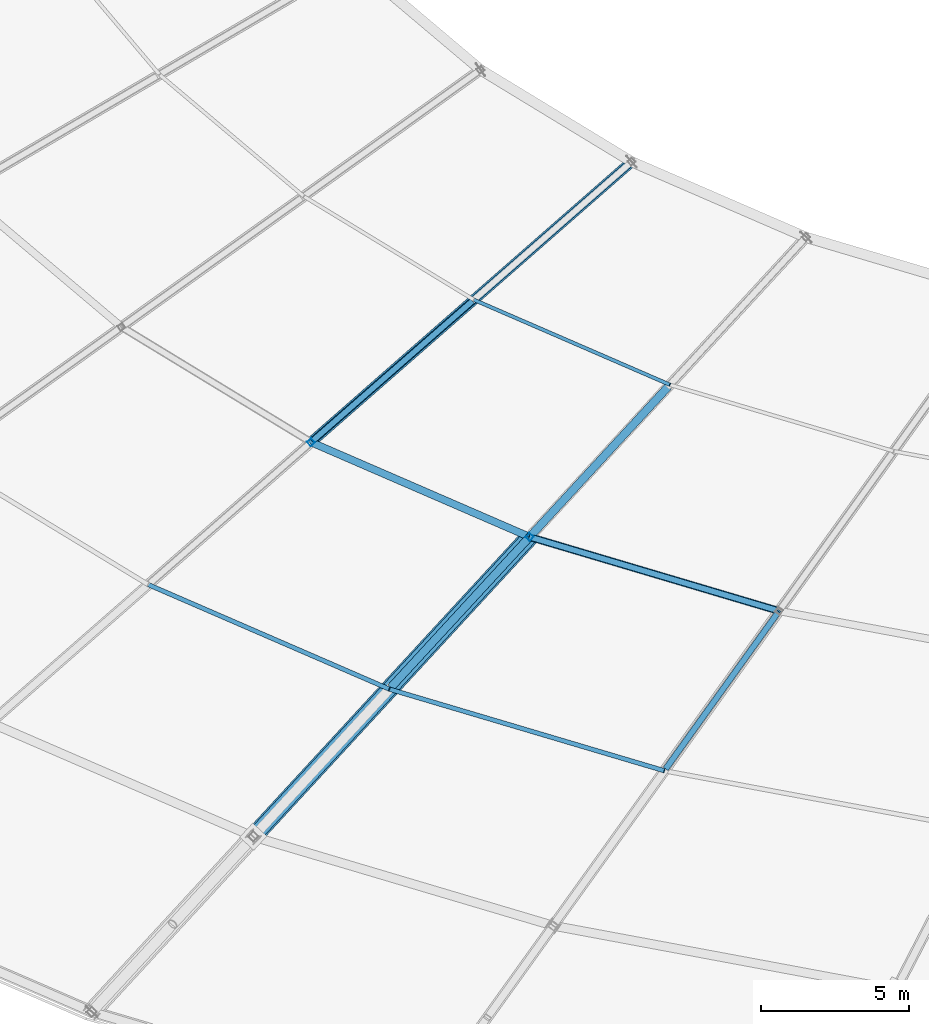
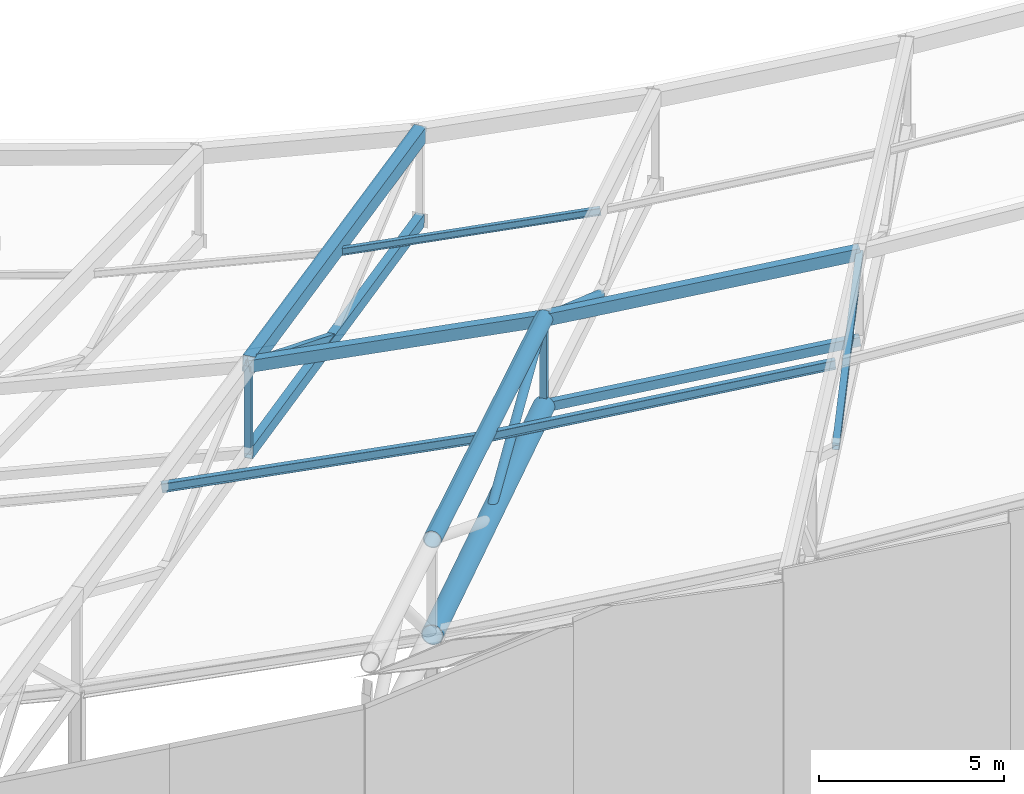
# One storey, part 20 of 143: 10 members, 6 beams.
"""IFC4 building model written with IfcOpenShell, lengths in metres."""

from ifc_helpers import new_model, si_unit, direction, frame, origin, origin_2d, place, context, subcontext, project, spatial, hollow_rectangle, hollow_circle, i_section, extrude, material, material_profile, profile_set, type_object, element, save


model = new_model("IFC4")

# Units and contexts
model_context = context("Model", 3, precision=1e-05, world=origin(), true_north=direction((0.0, 1.0)))
body_context = subcontext(model_context, "Body", "Model", "MODEL_VIEW")
ifc_project = project(units=[si_unit("LENGTHUNIT", "METRE"), si_unit("AREAUNIT", "SQUARE_METRE"), si_unit("VOLUMEUNIT", "CUBIC_METRE"), si_unit("PLANEANGLEUNIT", "RADIAN"), si_unit("MASSUNIT", "GRAM", prefix="KILO")], contexts=[model_context])

# Site, building, storey
site_placement = place(None, origin())
site = spatial("IfcSite", under=ifc_project, at=site_placement, CompositionType="ELEMENT")
building_placement = place(site_placement, origin())
building = spatial("IfcBuilding", under=site, at=building_placement, Name="Mphavela Belvedere Stadium", CompositionType="ELEMENT")
storey_placement = place(building_placement, frame((0.0, 0.0, 28.800048828125)))
storey = spatial("IfcBuildingStorey", under=building, at=storey_placement, Name="RF", CompositionType="ELEMENT", Elevation=28.800048828125)

# Beams
ifc_material_1 = material(Name="Steel S355", Category="steel")
ifc_material_profile_1 = material_profile(ifc_material_1, hollow_rectangle(XDim=0.25, YDim=0.39990234375, WallThickness=0.01611328125, at=origin_2d()), Name="RHS 400x250x16")
ifc_profile_set_1 = profile_set([ifc_material_profile_1], Name="Steel S355")
beam_type_1 = type_object("IfcBeamType", Name="BM-RING-MID", PredefinedType="BEAM", material=ifc_profile_set_1)
beam_1_placement = place(storey_placement, frame((61.4775390625, 40.16650390625, 7.064697265625), z_axis=(0.912119141721, -0.395386256728, 0.108205264648), x_axis=(0.397721448972, 0.917506211983, 0.0)))
element("IfcBeam", 1, at=beam_1_placement, inside=storey, type_object=beam_type_1, Name="Intermediate roof ring beam RB-MID-32", PredefinedType="BEAM", context=body_context, shape_type="SweptSolid", body=[
    extrude(hollow_rectangle(XDim=0.25, YDim=0.39990234375, WallThickness=0.01611328125, at=origin_2d()), origin(), (0.0, 0.0, 1.0), 8.10009765625),
])
beam_2_placement = place(storey_placement, frame((68.86572265625, 36.9638671875, 7.941162109375), z_axis=(0.955164887659, -0.283529138339, 0.085271713345), x_axis=(0.284565601841, 0.958656569502, 0.0)))
element("IfcBeam", 2, at=beam_2_placement, inside=storey, type_object=beam_type_1, Name="Intermediate roof ring beam RB-MID-33", PredefinedType="BEAM", context=body_context, shape_type="SweptSolid", body=[
    extrude(hollow_rectangle(XDim=0.25, YDim=0.39990234375, WallThickness=0.01611328125, at=origin_2d()), origin(), (0.0, 0.0, 1.0), 8.826904296875),
])
ifc_material_2 = material(Name="Steel S355", Category="steel")
ifc_material_profile_2 = material_profile(ifc_material_2, hollow_circle(Radius=0.304931640625, WallThickness=0.02490234375, at=origin_2d()), Name="CHS 610x25")
ifc_profile_set_2 = profile_set([ifc_material_profile_2], Name="Steel S355")
beam_type_2 = type_object("IfcBeamType", Name="BM-TRUSS-BC1", PredefinedType="BEAM", material=ifc_profile_set_2)
beam_3_placement = place(storey_placement, frame((59.523681640625, 26.83203125, 6.88623046875), z_axis=(0.671877631162, 0.728679516352, -0.132689906146), x_axis=(-0.735180274123, 0.677871643116, 0.0)))
element("IfcBeam", 3, at=beam_3_placement, inside=storey, type_object=beam_type_2, Name="Radial roof truss RT-33 bottom chord 2", PredefinedType="BEAM", context=body_context, shape_type="SweptSolid", body=[
    extrude(hollow_circle(Radius=0.304931640625, WallThickness=0.02490234375, at=origin_2d()), origin(), (0.0, 0.0, 1.0), 13.904296875),
])
ifc_material_3 = material(Name="Steel S355", Category="steel")
ifc_material_profile_3 = material_profile(ifc_material_3, hollow_rectangle(XDim=0.25, YDim=0.39990234375, WallThickness=0.01611328125, at=origin_2d()), Name="RHS 400x250x16")
ifc_profile_set_3 = profile_set([ifc_material_profile_3], Name="Steel S355")
beam_type_3 = type_object("IfcBeamType", Name="BM-TRUSS-BC2", PredefinedType="BEAM", material=ifc_profile_set_3)
beam_4_placement = place(storey_placement, frame((61.4775390625, 40.16650390625, 4.164794921875), z_axis=(0.746318226977, 0.653045260603, -0.128611786727), x_axis=(-0.658514209396, 0.752568293263, 0.0)))
element("IfcBeam", 4, at=beam_4_placement, inside=storey, type_object=beam_type_3, Name="Radial roof truss RT-32 bottom chord 3", PredefinedType="BEAM", context=body_context, shape_type="SweptSolid", body=[
    extrude(hollow_rectangle(XDim=0.25, YDim=0.39990234375, WallThickness=0.01611328125, at=origin_2d()), origin(), (0.0, 0.0, 1.0), 14.521728515625),
])
ifc_material_4 = material(Name="Steel S355", Category="steel")
ifc_material_profile_4 = material_profile(ifc_material_4, hollow_circle(Radius=0.25390625, WallThickness=0.02490234375, at=origin_2d()), Name="CHS 508x25")
ifc_profile_set_4 = profile_set([ifc_material_profile_4], Name="Steel S355")
beam_type_4 = type_object("IfcBeamType", Name="BM-TRUSS-TC1", PredefinedType="BEAM", material=ifc_profile_set_4)
beam_5_placement = place(storey_placement, frame((59.523681640625, 26.83203125, 10.0361328125), z_axis=(0.670172604534, 0.726830343347, -0.150287498223), x_axis=(-0.735180274123, 0.677871643116, 0.0)))
element("IfcBeam", 5, at=beam_5_placement, inside=storey, type_object=beam_type_4, Name="Radial roof truss RT-33 top chord 2", PredefinedType="BEAM", context=body_context, shape_type="SweptSolid", body=[
    extrude(hollow_circle(Radius=0.25390625, WallThickness=0.02490234375, at=origin_2d()), origin(), (0.0, 0.0, 1.0), 13.939697265625),
])
ifc_material_5 = material(Name="Steel S355", Category="steel")
ifc_material_profile_5 = material_profile(ifc_material_5, hollow_rectangle(XDim=0.35009765625, YDim=0.5, WallThickness=0.02001953125, at=origin_2d()), Name="RHS 500x350x20")
ifc_profile_set_5 = profile_set([ifc_material_profile_5], Name="Steel S355")
beam_type_5 = type_object("IfcBeamType", Name="BM-TRUSS-TC2", PredefinedType="BEAM", material=ifc_profile_set_5)
beam_6_placement = place(storey_placement, frame((61.4775390625, 40.16650390625, 7.064697265625), z_axis=(0.74598486536, 0.652753561679, -0.131982454779), x_axis=(-0.658514209396, 0.752568293263, 0.0)))
element("IfcBeam", 6, at=beam_6_placement, inside=storey, type_object=beam_type_5, Name="Radial roof truss RT-32 top chord 3", PredefinedType="BEAM", context=body_context, shape_type="SweptSolid", body=[
    extrude(hollow_rectangle(XDim=0.35009765625, YDim=0.5, WallThickness=0.02001953125, at=origin_2d()), origin(), (0.0, 0.0, 1.0), 14.5283203125),
])

# Members
ifc_material_6 = material(Name="Steel S355", Category="steel")
ifc_material_profile_6 = material_profile(ifc_material_6, hollow_circle(Radius=0.136474609375, WallThickness=0.012451171875, at=origin_2d()), Name="CHS 273x12.5")
ifc_profile_set_6 = profile_set([ifc_material_profile_6], Name="Steel S355")
member_type_1 = type_object("IfcMemberType", Name="MEM-DIAG-273", PredefinedType="BRACE", material=ifc_profile_set_6)
member_1_placement = place(storey_placement, frame((64.194580078125, 31.89794921875, 5.963623046875), z_axis=(0.651580282187, 0.706647721495, 0.275848026222), x_axis=(-0.735171445664, 0.677881217826, 0.0)))
element("IfcMember", 7, at=member_1_placement, inside=storey, type_object=member_type_1, Name="Radial roof truss RT-33 web diagonal D4", PredefinedType="BRACE", context=body_context, shape_type="SweptSolid", body=[
    extrude(hollow_circle(Radius=0.136474609375, WallThickness=0.012451171875, at=origin_2d()), origin(), (0.0, 0.0, 1.0), 7.1689453125),
])
member_2_placement = place(storey_placement, frame((68.86572265625, 36.9638671875, 7.941162109375), z_axis=(0.589096924477, 0.638917059529, -0.494721946769), x_axis=(-0.735189102669, 0.677862068061, 0.0)))
element("IfcMember", 8, at=member_2_placement, inside=storey, type_object=member_type_1, Name="Radial roof truss RT-33 web diagonal D5", PredefinedType="BRACE", context=body_context, shape_type="SweptSolid", body=[
    extrude(hollow_circle(Radius=0.136474609375, WallThickness=0.012451171875, at=origin_2d()), origin(), (0.0, 0.0, 1.0), 7.928955078125),
])
ifc_material_7 = material(Name="Steel S355", Category="steel")
ifc_material_profile_7 = material_profile(ifc_material_7, hollow_rectangle(XDim=0.199951171875, YDim=0.199951171875, WallThickness=0.010009765625, at=origin_2d()), Name="SHS 200x200x10")
ifc_profile_set_7 = profile_set([ifc_material_profile_7], Name="Steel S355")
member_type_2 = type_object("IfcMemberType", Name="MEM-POST-SHS200", PredefinedType="POST", material=ifc_profile_set_7)
member_3_placement = place(storey_placement, frame((61.4775390625, 40.16650390625, 4.164794921875), z_axis=(0.0, 0.0, 1.0), x_axis=(-0.752529860433, -0.658558128912, 0.0)))
element("IfcMember", 9, at=member_3_placement, inside=storey, type_object=member_type_2, Name="Radial roof truss RT-32 post P3", PredefinedType="POST", context=body_context, shape_type="SweptSolid", body=[
    extrude(hollow_rectangle(XDim=0.199951171875, YDim=0.199951171875, WallThickness=0.010009765625, at=origin_2d()), origin(), (0.0, 0.0, 1.0), 2.89990234375),
])
member_4_placement = place(storey_placement, frame((61.4775390625, 40.16650390625, 7.064697265625), z_axis=(0.664282779611, 0.58126239618, -0.469960014788), x_axis=(-0.658514209396, 0.752568293263, 0.0)))
element("IfcMember", 10, at=member_4_placement, inside=storey, type_object=member_type_2, Name="Radial roof truss RT-32 web diagonal D5", PredefinedType="POST", context=body_context, shape_type="SweptSolid", body=[
    extrude(hollow_rectangle(XDim=0.199951171875, YDim=0.199951171875, WallThickness=0.010009765625, at=origin_2d()), origin(), (0.0, 0.0, 1.0), 8.157470703125),
])
member_5_placement = place(storey_placement, frame((68.86572265625, 36.9638671875, 5.041259765625), z_axis=(0.0, 0.0, 1.0), x_axis=(-0.677903094969, -0.735151272753, 0.0)))
element("IfcMember", 11, at=member_5_placement, inside=storey, type_object=member_type_2, Name="Radial roof truss RT-33 post P3", PredefinedType="POST", context=body_context, shape_type="SweptSolid", body=[
    extrude(hollow_rectangle(XDim=0.199951171875, YDim=0.199951171875, WallThickness=0.010009765625, at=origin_2d()), origin(), (0.0, 0.0, 1.0), 2.89990234375),
])
member_6_placement = place(storey_placement, frame((73.4794921875, 29.14208984375, 6.79248046875), z_axis=(0.559926518449, 0.780194362845, 0.278888956618), x_axis=(-0.812428810785, 0.583060397734, 0.0)))
element("IfcMember", 12, at=member_6_placement, inside=storey, type_object=member_type_2, Name="Radial roof truss RT-34 web diagonal D4", PredefinedType="POST", context=body_context, shape_type="SweptSolid", body=[
    extrude(hollow_rectangle(XDim=0.199951171875, YDim=0.199951171875, WallThickness=0.010009765625, at=origin_2d()), origin(), (0.0, 0.0, 1.0), 6.817626953125),
])
ifc_material_8 = material(Name="Steel S355", Category="steel")
ifc_material_profile_8 = material_profile(ifc_material_8, i_section(OverallWidth=0.1201171875, OverallDepth=0.239990234375, WebThickness=0.006103515625, FlangeThickness=0.009765625, at=origin_2d()), Name="IPE 240")
ifc_profile_set_8 = profile_set([ifc_material_profile_8], Name="Steel S355")
member_type_3 = type_object("IfcMemberType", Name="MEM-PURLIN-IPE240", PredefinedType="PURLIN", material=ifc_profile_set_8)
member_7_placement = place(storey_placement, frame((66.97998046875, 44.981201171875, 5.93115234375), z_axis=(0.912118638699, -0.395385792223, 0.108211202035), x_axis=(0.397721240277, 0.917506302448, 0.0)))
element("IfcMember", 13, at=member_7_placement, inside=storey, type_object=member_type_3, Name="Saddle canopy steel purlin 32-1", PredefinedType="PURLIN", context=body_context, shape_type="SweptSolid", body=[
    extrude(i_section(OverallWidth=0.1201171875, OverallDepth=0.239990234375, WebThickness=0.006103515625, FlangeThickness=0.009765625, at=origin_2d()), origin(), (0.0, 0.0, 1.0), 7.26708984375),
])
ifc_material_9 = material(Name="Steel S355", Category="steel")
ifc_material_profile_9 = material_profile(ifc_material_9, i_section(OverallWidth=0.14990234375, OverallDepth=0.300048828125, WebThickness=0.007080078125, FlangeThickness=0.0107421875, at=origin_2d()), Name="IPE 300")
ifc_profile_set_9 = profile_set([ifc_material_profile_9], Name="Steel S355")
member_type_4 = type_object("IfcMemberType", Name="MEM-PURLIN-IPE300", PredefinedType="PURLIN", material=ifc_profile_set_9)
member_8_placement = place(storey_placement, frame((55.975341796875, 35.35205078125, 7.84814453125), z_axis=(0.912110365187, -0.395406348231, 0.108205829311), x_axis=(0.397741683728, 0.917497440337, 0.0)))
element("IfcMember", 14, at=member_8_placement, inside=storey, type_object=member_type_4, Name="Saddle canopy steel purlin 32-2", PredefinedType="PURLIN", context=body_context, shape_type="SweptSolid", body=[
    extrude(i_section(OverallWidth=0.14990234375, OverallDepth=0.300048828125, WebThickness=0.007080078125, FlangeThickness=0.0107421875, at=origin_2d()), origin(), (0.0, 0.0, 1.0), 8.9326171875),
])
member_9_placement = place(storey_placement, frame((64.122802734375, 31.820068359375, 8.814697265625), z_axis=(0.955163200826, -0.283534292231, 0.085273471348), x_axis=(0.284570817546, 0.958655021267, 0.0)))
element("IfcMember", 15, at=member_9_placement, inside=storey, type_object=member_type_4, Name="Saddle canopy steel purlin 33-2", PredefinedType="PURLIN", context=body_context, shape_type="SweptSolid", body=[
    extrude(i_section(OverallWidth=0.14990234375, OverallDepth=0.300048828125, WebThickness=0.007080078125, FlangeThickness=0.0107421875, at=origin_2d()), origin(), (0.0, 0.0, 1.0), 9.734375),
])
ifc_material_10 = material(Name="Steel S355", Category="steel")
ifc_material_profile_10 = material_profile(ifc_material_10, hollow_rectangle(XDim=0.199951171875, YDim=0.300048828125, WallThickness=0.011962890625, at=origin_2d()), Name="RHS 300x200x12")
ifc_profile_set_10 = profile_set([ifc_material_profile_10], Name="Steel S355")
member_type_5 = type_object("IfcMemberType", Name="MEM-SEC-CHORD", PredefinedType="CHORD", material=ifc_profile_set_10)
member_10_placement = place(storey_placement, frame((68.86572265625, 36.9638671875, 5.041259765625), z_axis=(0.955167140061, -0.283529806937, 0.08524425568), x_axis=(0.284565601841, 0.958656569502, 0.0)))
element("IfcMember", 16, at=member_10_placement, inside=storey, type_object=member_type_5, Name="Secondary bottom roof tie chord 33", PredefinedType="CHORD", context=body_context, shape_type="SweptSolid", body=[
    extrude(hollow_rectangle(XDim=0.199951171875, YDim=0.300048828125, WallThickness=0.011962890625, at=origin_2d()), origin(), (0.0, 0.0, 1.0), 8.826904296875),
])

save(model, "model.ifc")
